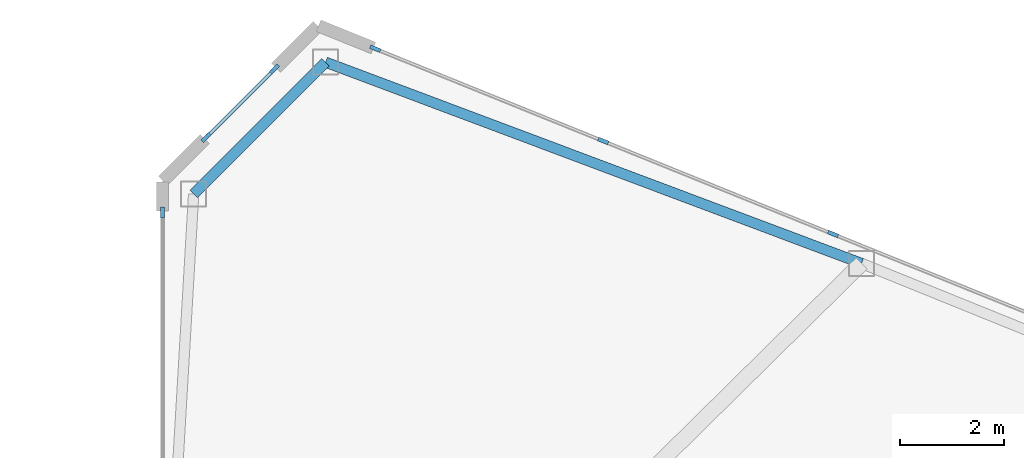
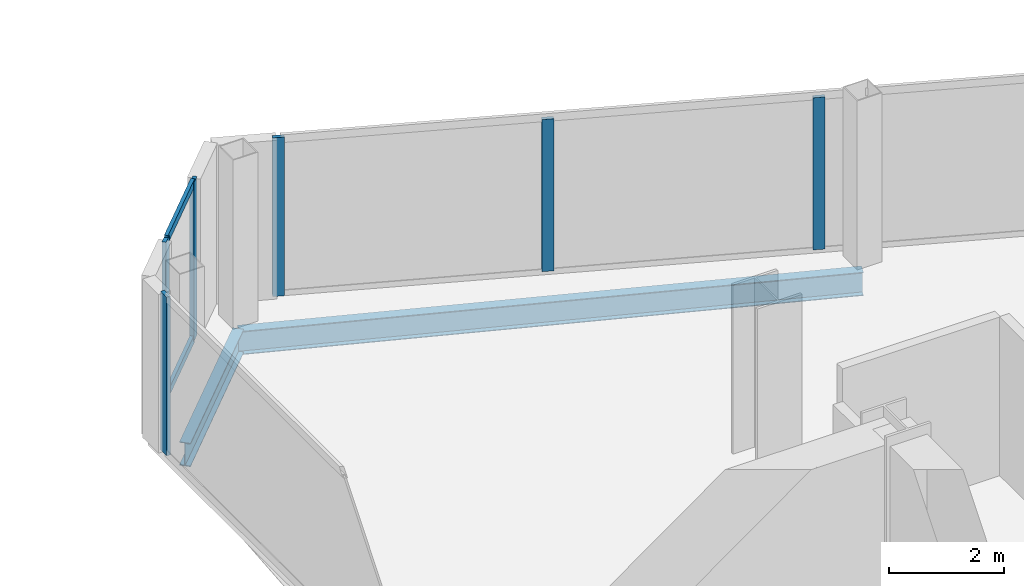
# One storey, part 13 of 25: 8 members, 2 beams, 3 elements without a shape of their own.
"""IFC4 building model written with IfcOpenShell, lengths in metres."""

from ifc_helpers import new_model, si_unit, direction, frame, origin, origin_2d, place, context, subcontext, project, spatial, rectangle, i_section, extrude, source, transform, mapped, material, layer, layer_set, material_profile, profile_set, type_object, type_shapes, element, aggregate, save


model = new_model("IFC4")

# Units and contexts
model_context = context("Model", 3, precision=1e-05, world=origin(), true_north=direction((0.0, 1.0)))
body_context = subcontext(model_context, "Body", "Model", "MODEL_VIEW")
ifc_project = project(units=[si_unit("LENGTHUNIT", "METRE"), si_unit("AREAUNIT", "SQUARE_METRE"), si_unit("VOLUMEUNIT", "CUBIC_METRE"), si_unit("PLANEANGLEUNIT", "RADIAN"), si_unit("MASSUNIT", "GRAM", prefix="KILO")], contexts=[model_context])

# Site, building, storey
site_placement = place(None, origin())
site = spatial("IfcSite", under=ifc_project, at=site_placement, CompositionType="ELEMENT")
building_placement = place(site_placement, origin())
building = spatial("IfcBuilding", under=site, at=building_placement, Name="Seokmaru Belvedere", CompositionType="ELEMENT")
storey_placement = place(building_placement, frame((0.0, 0.0, 47.699951171875)))
storey = spatial("IfcBuildingStorey", under=building, at=storey_placement, Name="L12", CompositionType="ELEMENT", Elevation=47.699951171875)

# Beams
ifc_material_1 = material(Name="Steel SM355 (355 MPa)", Category="steel")
ifc_material_profile_1 = material_profile(ifc_material_1, i_section(OverallWidth=0.199951171875, OverallDepth=0.5, WebThickness=0.010009765625, FlangeThickness=0.01611328125, at=origin_2d()), Name="H-500x200x10x16")
ifc_profile_set_1 = profile_set([ifc_material_profile_1], Name="Steel SM355 (355 MPa)")
beam_type = type_object("IfcBeamType", Name="Perimeter Spandrel Beam H-500", PredefinedType="SPANDREL", material=ifc_profile_set_1)
shared_shape_1 = source(origin(), body_context, "Body", "SweptSolid", [
    extrude(i_section(OverallWidth=0.199951171875, OverallDepth=0.5, WebThickness=0.010009765625, FlangeThickness=0.01611328125, at=origin_2d()), origin(), (0.0, 0.0, 1.0), 11.03857421875),
])
beam_1_placement = place(storey_placement, frame((30.643310546875, 26.294677734375, -0.469970703125), z_axis=(0.936169110734, -0.351549990907, 0.0), x_axis=(0.351549990907, 0.936169110734, 0.0)))
element("IfcBeam", 1, at=beam_1_placement, inside=storey, type_object=beam_type, Name="L12 E Faceted Flank Spandrel N-1", PredefinedType="SPANDREL", context=body_context, shape_type="MappedRepresentation", body=[
    mapped(shared_shape_1, transform((0.0, 0.0, 0.0), scale=1.0)),
])
shared_shape_2 = source(origin(), body_context, "Body", "SweptSolid", [
    extrude(i_section(OverallWidth=0.199951171875, OverallDepth=0.5, WebThickness=0.010009765625, FlangeThickness=0.01611328125, at=origin_2d()), origin(), (0.0, 0.0, 1.0), 3.5966796875),
])
type_shapes(beam_type, [shared_shape_1, shared_shape_2])
beam_2_placement = place(storey_placement, frame((30.643310546875, 26.294677734375, -0.469970703125), z_axis=(-0.707106781187, -0.707106781187, 0.0), x_axis=(0.707106781187, -0.707106781187, 0.0)))
element("IfcBeam", 2, at=beam_2_placement, inside=storey, type_object=beam_type, Name="L12 E Shoulder Chamfer Spandrel N", PredefinedType="SPANDREL", context=body_context, shape_type="MappedRepresentation", body=[
    mapped(shared_shape_2, transform((0.0, 0.0, 0.0), scale=1.0)),
])

# Curtain wall, member
ifc_material_2 = material(Name="Bronze Triple Insulating Glass", Category="glass")
ifc_layer = layer(ifc_material_2, 0.2099609375)
ifc_layer_set = layer_set([ifc_layer], Name="Bronze Triple Insulating Glass")
curtain_wall_type = type_object("IfcCurtainWallType", Name="Low-Rise Faceted Crystal Curtain Wall System CW-2", PredefinedType="NOTDEFINED", material=ifc_layer_set)
curtain_wall_1_placement = place(storey_placement, origin())
curtain_wall_1 = element("IfcCurtainWall", 3, at=curtain_wall_1_placement, inside=storey, type_object=curtain_wall_type, Name="L12 Curtain Wall EF3", PredefinedType="NOTDEFINED")
ifc_material_3 = material(Name="Anodised Bronze Aluminium", Category="aluminium")
ifc_material_profile_2 = material_profile(ifc_material_3, rectangle(XDim=0.074951171875, YDim=0.2099609375, at=origin_2d()), Name="CW-M-75x210")
ifc_profile_set_2 = profile_set([ifc_material_profile_2], Name="Anodised Bronze Aluminium")
member_type_1 = type_object("IfcMemberType", Name="Bronze Unitised Mullion 75x210", PredefinedType="MULLION", material=ifc_profile_set_2)
shared_shape_3 = source(origin(), body_context, "Body", "SweptSolid", [
    extrude(rectangle(XDim=0.074951171875, YDim=0.2099609375, at=origin_2d()), origin(), (0.0, 0.0, 1.0), 3.380126953125),
])
member_1_placement = place(storey_placement, frame((31.600830078125, 26.554443359375, 0.0), z_axis=(0.0, 0.0, 1.0), x_axis=(-0.375192321888, -0.926946989637, 0.0)))
member_1 = element("IfcMember", 4, at=member_1_placement, type_object=member_type_1, Name="CW:L12:EF3 Mullion 10", PredefinedType="MULLION", context=body_context, shape_type="MappedRepresentation", body=[
    mapped(shared_shape_3, transform((0.0, 0.0, 0.0), scale=1.0)),
])

# Curtain wall, members
curtain_wall_2_placement = place(storey_placement, origin())
curtain_wall_2 = element("IfcCurtainWall", 5, at=curtain_wall_2_placement, inside=storey, type_object=curtain_wall_type, Name="L12 Curtain Wall EF4", PredefinedType="NOTDEFINED")
member_2_placement = place(storey_placement, frame((29.660400390625, 26.160400390625, 0.0), z_axis=(0.0, 0.0, 1.0), x_axis=(0.707106781187, -0.707106781187, 0.0)))
member_2 = element("IfcMember", 6, at=member_2_placement, type_object=member_type_1, Name="CW:L12:EF4 Mullion 1", PredefinedType="MULLION", context=body_context, shape_type="MappedRepresentation", body=[
    mapped(shared_shape_3, transform((0.0, 0.0, 0.0), scale=1.0)),
])
member_3_placement = place(storey_placement, frame((28.339599609375, 24.839599609375, 0.0), z_axis=(0.0, 0.0, 1.0), x_axis=(0.707106781187, -0.707106781187, 0.0)))
member_3 = element("IfcMember", 7, at=member_3_placement, type_object=member_type_1, Name="CW:L12:EF4 Mullion 2", PredefinedType="MULLION", context=body_context, shape_type="MappedRepresentation", body=[
    mapped(shared_shape_3, transform((0.0, 0.0, 0.0), scale=1.0)),
])

# Curtain wall, member
curtain_wall_3_placement = place(storey_placement, origin())
curtain_wall_3 = element("IfcCurtainWall", 8, at=curtain_wall_3_placement, inside=storey, type_object=curtain_wall_type, Name="L12 Curtain Wall ESP_2", PredefinedType="NOTDEFINED")
member_4_placement = place(storey_placement, frame((27.5, 23.392578125, 0.0), z_axis=(0.0, 0.0, 1.0), x_axis=(1.0, 0.0, 0.0)))
member_4 = element("IfcMember", 9, at=member_4_placement, type_object=member_type_1, Name="CW:L12:ESP_2 Mullion 1", PredefinedType="MULLION", context=body_context, shape_type="MappedRepresentation", body=[
    mapped(shared_shape_3, transform((0.0, 0.0, 0.0), scale=1.0)),
])
aggregate(curtain_wall_3, [member_4])

# Member
ifc_material_profile_3 = material_profile(ifc_material_3, rectangle(XDim=0.070068359375, YDim=0.1650390625, at=origin_2d()), Name="CW-T-70x165")
ifc_profile_set_3 = profile_set([ifc_material_profile_3], Name="Anodised Bronze Aluminium")
member_type_2 = type_object("IfcMemberType", Name="Bronze Unitised Transom 70x165", PredefinedType="USERDEFINED", material=ifc_profile_set_3)
shared_shape_4 = source(origin(), body_context, "Body", "SweptSolid", [
    extrude(rectangle(XDim=0.070068359375, YDim=0.1650390625, at=origin_2d()), origin(), (0.0, 0.0, 1.0), 1.792724609375),
])
type_shapes(member_type_2, [shared_shape_4])
member_5_placement = place(storey_placement, frame((29.6337890625, 26.1337890625, 0.03515625), z_axis=(-0.707106781187, -0.707106781187, 0.0), x_axis=(0.707106781187, -0.707106781187, 0.0)))
member_5 = element("IfcMember", 10, at=member_5_placement, type_object=member_type_2, Name="CW:L12:EF4 Continuous Transom 1", ObjectType="TRANSOM", PredefinedType="USERDEFINED", context=body_context, shape_type="MappedRepresentation", body=[
    mapped(shared_shape_4, transform((0.0, 0.0, 0.0), scale=1.0)),
])

member_6_placement = place(storey_placement, frame((29.6337890625, 26.1337890625, 3.344970703125), z_axis=(-0.707106781187, -0.707106781187, 0.0), x_axis=(0.707106781187, -0.707106781187, 0.0)))
member_6 = element("IfcMember", 11, at=member_6_placement, type_object=member_type_2, Name="CW:L12:EF4 Continuous Transom 2", ObjectType="TRANSOM", PredefinedType="USERDEFINED", context=body_context, shape_type="MappedRepresentation", body=[
    mapped(shared_shape_4, transform((0.0, 0.0, 0.0), scale=1.0)),
])

aggregate(curtain_wall_2, [member_2, member_3, member_5, member_6])

shared_shape_5 = source(origin(), body_context, "Body", "SweptSolid", [
    extrude(rectangle(XDim=0.074951171875, YDim=0.2099609375, at=origin_2d()), origin(), (0.0, 0.0, 1.0), 3.239990234375),
])
type_shapes(member_type_1, [shared_shape_3, shared_shape_5])
member_7_placement = place(storey_placement, frame((40.425537109375, 22.982421875, 0.070068359375), z_axis=(0.0, 0.0, 1.0), x_axis=(-0.375192321888, -0.926946989637, 0.0)))
member_7 = element("IfcMember", 12, at=member_7_placement, type_object=member_type_1, Name="CW:L12:EF3 Mullion 8", PredefinedType="MULLION", context=body_context, shape_type="MappedRepresentation", body=[
    mapped(shared_shape_5, transform((0.0, 0.0, 0.0), scale=1.0)),
])

member_8_placement = place(storey_placement, frame((35.995849609375, 24.775390625, 0.070068359375), z_axis=(0.0, 0.0, 1.0), x_axis=(-0.375192321888, -0.926946989637, 0.0)))
member_8 = element("IfcMember", 13, at=member_8_placement, type_object=member_type_1, Name="CW:L12:EF3 Mullion 9", PredefinedType="MULLION", context=body_context, shape_type="MappedRepresentation", body=[
    mapped(shared_shape_5, transform((0.0, 0.0, 0.0), scale=1.0)),
])

aggregate(curtain_wall_1, [member_7, member_8, member_1])

save(model, "model.ifc")
